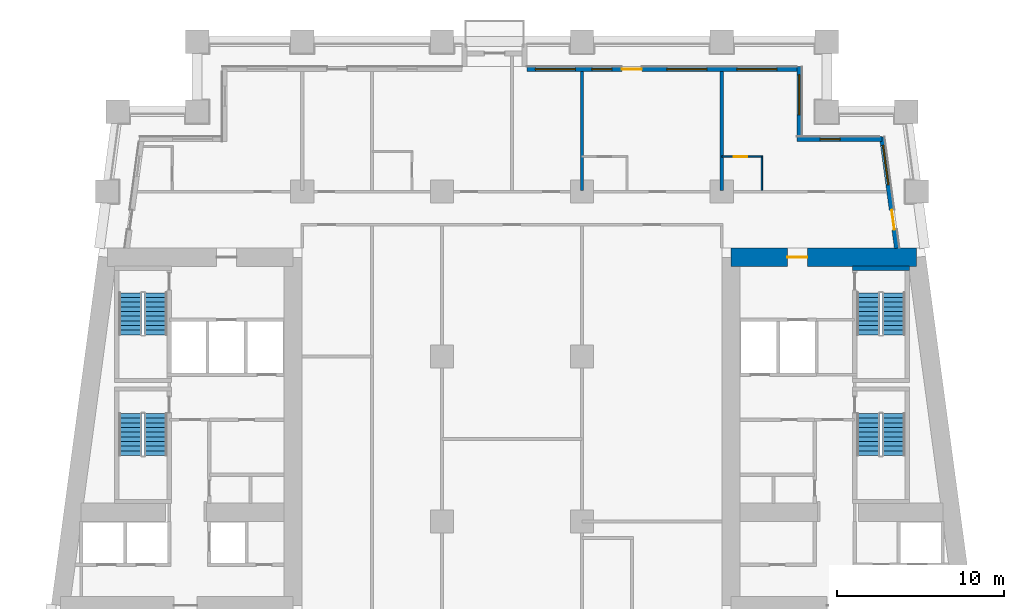
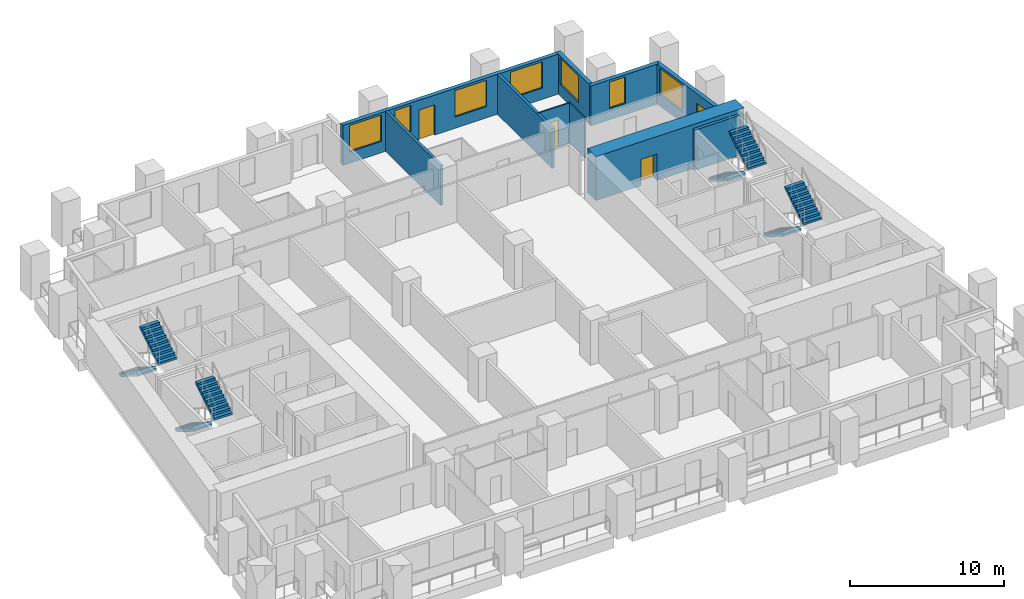
# One storey, part 7 of 12: 10 walls, 8 stair flights, 7 windows, 4 doors, 11 openings, 4 elements without a shape of their own.
"""IFC4 building model written with IfcOpenShell, lengths in metres."""

from ifc_helpers import new_model, si_unit, direction, frame, frame_2d, origin, place, context, subcontext, project, spatial, polyline, rectangle, outline, extrude, material, layer, layer_set, type_object, element, fill, aggregate, save


model = new_model("IFC4")

# Units and contexts
model_context = context("Model", 3, precision=1e-05, world=origin(), true_north=direction((0.0, 1.0)))
body_context = subcontext(model_context, "Body", "Model", "MODEL_VIEW")
ifc_project = project(units=[si_unit("LENGTHUNIT", "METRE"), si_unit("AREAUNIT", "SQUARE_METRE"), si_unit("VOLUMEUNIT", "CUBIC_METRE"), si_unit("PLANEANGLEUNIT", "RADIAN"), si_unit("MASSUNIT", "GRAM", prefix="KILO")], contexts=[model_context])

# Site, building, storey
site_placement = place(None, origin())
site = spatial("IfcSite", under=ifc_project, at=site_placement, CompositionType="ELEMENT")
building_placement = place(site_placement, origin())
building = spatial("IfcBuilding", under=site, at=building_placement, Name="Candeia Pilgrim Tower and Theatre", CompositionType="ELEMENT")
storey_placement = place(building_placement, frame((0.0, 0.0, 74.0)))
storey = spatial("IfcBuildingStorey", under=building, at=storey_placement, Name="L16", CompositionType="ELEMENT", Elevation=74.0)

# Wall, opening, door
ifc_material_1 = material(Name="Concrete C80/95", Category="concrete")
ifc_layer_1 = layer(ifc_material_1, 1.10009765625)
ifc_layer_set_1 = layer_set([ifc_layer_1], Name="Core wall 1100 C80/95")
wall_type_1 = type_object("IfcWallType", Name="Core wall 1100 C80/95", PredefinedType="SHEAR", material=ifc_layer_set_1)
wall_1_placement = place(storey_placement, frame((126.550048828125, 131.85009765625, 0.0), z_axis=(0.0, 0.0, 1.0), x_axis=(1.0, 0.0, 0.0)))
wall_1 = element("IfcWall", 1, at=wall_1_placement, inside=storey, type_object=wall_type_1, Name="Core wall E1", PredefinedType="SHEAR", context=body_context, shape_type="SweptSolid", body=[
    extrude(rectangle(XDim=11.13818359375, YDim=1.10009765625, at=frame_2d((5.569091796875, 0.0))), origin(), (0.0, 0.0, 1.0), 3.5),
])
opening_1_placement = place(wall_1_placement, frame((3.386474609375, 0.0, 0.0)))
opening_1 = element("IfcOpeningElement", 2, at=opening_1_placement, cuts=wall_1, Name="Opening L16-D049", PredefinedType="OPENING", context=body_context, shape_type="SweptSolid", body=[
    extrude(rectangle(XDim=1.199951171875, YDim=2.10009765625, at=frame_2d((0.60009765625, 1.050048828125))), frame((0.0, 0.56005859375, 0.0), z_axis=(0.0, -1.0, 0.0), x_axis=(1.0, 0.0, 0.0)), (0.0, 0.0, 1.0), 1.1201171875),
])
ifc_material_2 = material(Name="Steel fire door set", Category="steel")
door_type_1 = type_object("IfcDoorType", Name="D-1200-FD60", OperationType="NOTDEFINED", PredefinedType="DOOR", material=ifc_material_2)
door_1_placement = place(opening_1_placement, origin())
door_1 = element("IfcDoor", 3, at=door_1_placement, inside=storey, type_object=door_type_1, Name="Door L16-D049", OperationType="SINGLE_SWING_LEFT", OverallHeight=2.10009765625, OverallWidth=1.199951171875, PredefinedType="DOOR", context=body_context, shape_type="SweptSolid", body=[
    extrude(rectangle(XDim=1.199951171875, YDim=2.10009765625, at=frame_2d((0.60009765625, 1.050048828125))), frame((0.0, 0.02490234375, 0.0), z_axis=(0.0, -1.0, 0.0), x_axis=(1.0, 0.0, 0.0)), (0.0, 0.0, 1.0), 0.050048828125),
])
fill(opening_1, door_1)

# Wall, openings, door, window
ifc_material_3 = material(Name="Ceramic block masonry", Category="masonry")
ifc_layer_2 = layer(ifc_material_3, 0.300048828125)
ifc_layer_set_2 = layer_set([ifc_layer_2], Name="EW1 glazing-line wall 300")
wall_type_2 = type_object("IfcWallType", Name="EW1 glazing-line wall 300", PredefinedType="SOLIDWALL", material=ifc_layer_set_2)
wall_2_placement = place(storey_placement, frame((136.50439453125, 132.39990234375, 0.0), z_axis=(0.0, 0.0, 1.0), x_axis=(-0.133399697462, 0.99106231929, 0.0)))
wall_2 = element("IfcWall", 4, at=wall_2_placement, inside=storey, type_object=wall_type_2, Name="External wall L16-3.1", PredefinedType="SOLIDWALL", context=body_context, shape_type="SweptSolid", body=[
    extrude(rectangle(XDim=6.740478515625, YDim=0.300048828125, at=frame_2d((3.3701171875, 0.0))), origin(), (0.0, 0.0, 1.0), 3.179931640625),
])
opening_2_placement = place(wall_2_placement, frame((1.115234375, 0.0, 0.0)))
opening_2 = element("IfcOpeningElement", 5, at=opening_2_placement, cuts=wall_2, Name="Opening L16-ED177", PredefinedType="OPENING", context=body_context, shape_type="SweptSolid", body=[
    extrude(rectangle(XDim=1.199951171875, YDim=2.39990234375, at=frame_2d((0.60009765625, 1.199951171875))), frame((0.0, 0.16015625, 0.0), z_axis=(0.0, -1.0, 0.0), x_axis=(1.0, 0.0, 0.0)), (0.0, 0.0, 1.0), 0.320068359375),
])
opening_3_placement = place(wall_2_placement, frame((3.83544921875, 0.0, 0.89990234375)))
opening_3 = element("IfcOpeningElement", 6, at=opening_3_placement, cuts=wall_2, Name="Opening W-A", PredefinedType="OPENING", context=body_context, shape_type="SweptSolid", body=[
    extrude(rectangle(XDim=2.39990234375, YDim=2.10009765625, at=frame_2d((1.199951171875, 1.050048828125))), frame((0.0, 0.16015625, 0.0), z_axis=(0.0, -1.0, 0.0), x_axis=(1.0, 0.0, 0.0)), (0.0, 0.0, 1.0), 0.320068359375),
])
ifc_material_4 = material(Name="Aluminium framed glazed door", Category="aluminium")
door_type_2 = type_object("IfcDoorType", Name="Loggia door 1200x2400", OperationType="DOUBLE_DOOR_SINGLE_SWING", PredefinedType="DOOR", material=ifc_material_4)
door_2_placement = place(opening_2_placement, origin())
door_2 = element("IfcDoor", 7, at=door_2_placement, inside=storey, type_object=door_type_2, Name="Loggia door L16-ED177", OperationType="DOUBLE_DOOR_SINGLE_SWING", OverallHeight=2.39990234375, OverallWidth=1.199951171875, PredefinedType="DOOR", context=body_context, shape_type="SweptSolid", body=[
    extrude(rectangle(XDim=1.199951171875, YDim=2.39990234375, at=frame_2d((0.60009765625, 1.199951171875))), frame((0.0, 0.02490234375, 0.0), z_axis=(0.0, -1.0, 0.0), x_axis=(1.0, 0.0, 0.0)), (0.0, 0.0, 1.0), 0.050048828125),
])
fill(opening_2, door_2)
ifc_material_5 = material(Name="Aluminium framed double glazing", Category="aluminium")
window_type_1 = type_object("IfcWindowType", Name="W-A window 2400x2100", PartitioningType="DOUBLE_PANEL_VERTICAL", PredefinedType="WINDOW", material=ifc_material_5)
window_1_placement = place(opening_3_placement, origin())
window_1 = element("IfcWindow", 8, at=window_1_placement, inside=storey, type_object=window_type_1, Name="Window W-A L16", OverallHeight=2.10009765625, OverallWidth=2.39990234375, PartitioningType="SINGLE_PANEL", PredefinedType="WINDOW", context=body_context, shape_type="SweptSolid", body=[
    extrude(rectangle(XDim=2.39990234375, YDim=2.10009765625, at=frame_2d((1.199951171875, 1.050048828125))), frame((0.0, 0.030029296875, 0.0), z_axis=(0.0, -1.0, 0.0), x_axis=(1.0, 0.0, 0.0)), (0.0, 0.0, 1.0), 0.06005859375),
])
fill(opening_3, window_1)

# Wall, opening, window
wall_3_placement = place(storey_placement, frame((135.62255859375, 138.949951171875, 0.0), z_axis=(0.0, 0.0, 1.0), x_axis=(-1.0, 0.0, 0.0)))
wall_3 = element("IfcWall", 9, at=wall_3_placement, inside=storey, type_object=wall_type_2, Name="External wall L16-4.0", PredefinedType="SOLIDWALL", context=body_context, shape_type="SweptSolid", body=[
    extrude(rectangle(XDim=5.12255859375, YDim=0.300048828125, at=frame_2d((2.561279296875, 0.0))), origin(), (0.0, 0.0, 1.0), 3.179931640625),
])
opening_4_placement = place(wall_3_placement, frame((2.522705078125, 0.0, 0.89990234375)))
opening_4 = element("IfcOpeningElement", 10, at=opening_4_placement, cuts=wall_3, Name="Opening W-B", PredefinedType="OPENING", context=body_context, shape_type="SweptSolid", body=[
    extrude(rectangle(XDim=1.199951171875, YDim=2.10009765625, at=frame_2d((0.60009765625, 1.050048828125))), frame((0.0, 0.16015625, 0.0), z_axis=(0.0, -1.0, 0.0), x_axis=(1.0, 0.0, 0.0)), (0.0, 0.0, 1.0), 0.320068359375),
])
window_type_2 = type_object("IfcWindowType", Name="W-B window 1200x2100", PartitioningType="SINGLE_PANEL", PredefinedType="WINDOW", material=ifc_material_5)
window_2_placement = place(opening_4_placement, origin())
window_2 = element("IfcWindow", 11, at=window_2_placement, inside=storey, type_object=window_type_2, Name="Window W-B L16", OverallHeight=2.10009765625, OverallWidth=1.199951171875, PartitioningType="SINGLE_PANEL", PredefinedType="WINDOW", context=body_context, shape_type="SweptSolid", body=[
    extrude(rectangle(XDim=1.199951171875, YDim=2.10009765625, at=frame_2d((0.60009765625, 1.050048828125))), frame((0.0, 0.030029296875, 0.0), z_axis=(0.0, -1.0, 0.0), x_axis=(1.0, 0.0, 0.0)), (0.0, 0.0, 1.0), 0.06005859375),
])
fill(opening_4, window_2)

wall_4_placement = place(storey_placement, frame((130.64990234375, 138.949951171875, 0.0), z_axis=(0.0, 0.0, 1.0), x_axis=(0.0, 1.0, 0.0)))
wall_4 = element("IfcWall", 12, at=wall_4_placement, inside=storey, type_object=wall_type_2, Name="External wall L16-5.0", PredefinedType="SOLIDWALL", context=body_context, shape_type="SweptSolid", body=[
    extrude(rectangle(XDim=4.35009765625, YDim=0.300048828125, at=frame_2d((2.175048828125, 0.0))), origin(), (0.0, 0.0, 1.0), 3.179931640625),
])
opening_5_placement = place(wall_4_placement, frame((1.449951171875, 0.0, 0.89990234375)))
opening_5 = element("IfcOpeningElement", 13, at=opening_5_placement, cuts=wall_4, Name="Opening W-A", PredefinedType="OPENING", context=body_context, shape_type="SweptSolid", body=[
    extrude(rectangle(XDim=2.39990234375, YDim=2.10009765625, at=frame_2d((1.199951171875, 1.050048828125))), frame((0.0, 0.16015625, 0.0), z_axis=(0.0, -1.0, 0.0), x_axis=(1.0, 0.0, 0.0)), (0.0, 0.0, 1.0), 0.320068359375),
])
window_3_placement = place(opening_5_placement, origin())
window_3 = element("IfcWindow", 14, at=window_3_placement, inside=storey, type_object=window_type_1, Name="Window W-A L16", OverallHeight=2.10009765625, OverallWidth=2.39990234375, PartitioningType="SINGLE_PANEL", PredefinedType="WINDOW", context=body_context, shape_type="SweptSolid", body=[
    extrude(rectangle(XDim=2.39990234375, YDim=2.10009765625, at=frame_2d((1.199951171875, 1.050048828125))), frame((0.0, 0.030029296875, 0.0), z_axis=(0.0, -1.0, 0.0), x_axis=(1.0, 0.0, 0.0)), (0.0, 0.0, 1.0), 0.06005859375),
])
fill(opening_5, window_3)

# Wall, openings, door, windows
wall_5_placement = place(storey_placement, frame((130.64990234375, 143.14990234375, 0.0), z_axis=(0.0, 0.0, 1.0), x_axis=(-1.0, 0.0, 0.0)))
wall_5 = element("IfcWall", 15, at=wall_5_placement, inside=storey, type_object=wall_type_2, Name="External wall L16-6.0", PredefinedType="SOLIDWALL", context=body_context, shape_type="SweptSolid", body=[
    extrude(rectangle(XDim=16.349853515625, YDim=0.300048828125, at=frame_2d((8.1748046875, 0.0))), origin(), (0.0, 0.0, 1.0), 3.179931640625),
])
opening_6_placement = place(wall_5_placement, frame((1.35009765625, 0.0, 0.89990234375)))
opening_6 = element("IfcOpeningElement", 16, at=opening_6_placement, cuts=wall_5, Name="Opening W-A", PredefinedType="OPENING", context=body_context, shape_type="SweptSolid", body=[
    extrude(rectangle(XDim=2.39990234375, YDim=2.10009765625, at=frame_2d((1.199951171875, 1.050048828125))), frame((0.0, 0.16015625, 0.0), z_axis=(0.0, -1.0, 0.0), x_axis=(1.0, 0.0, 0.0)), (0.0, 0.0, 1.0), 0.320068359375),
])
opening_7_placement = place(wall_5_placement, frame((5.550048828125, 0.0, 0.89990234375)))
opening_7 = element("IfcOpeningElement", 17, at=opening_7_placement, cuts=wall_5, Name="Opening W-A", PredefinedType="OPENING", context=body_context, shape_type="SweptSolid", body=[
    extrude(rectangle(XDim=2.39990234375, YDim=2.10009765625, at=frame_2d((1.199951171875, 1.050048828125))), frame((0.0, 0.16015625, 0.0), z_axis=(0.0, -1.0, 0.0), x_axis=(1.0, 0.0, 0.0)), (0.0, 0.0, 1.0), 0.320068359375),
])
opening_8_placement = place(wall_5_placement, frame((9.449951171875, 0.0, 0.0)))
opening_8 = element("IfcOpeningElement", 18, at=opening_8_placement, cuts=wall_5, Name="Opening L16-ED178", PredefinedType="OPENING", context=body_context, shape_type="SweptSolid", body=[
    extrude(rectangle(XDim=1.199951171875, YDim=2.39990234375, at=frame_2d((0.60009765625, 1.199951171875))), frame((0.0, 0.16015625, 0.0), z_axis=(0.0, -1.0, 0.0), x_axis=(1.0, 0.0, 0.0)), (0.0, 0.0, 1.0), 0.320068359375),
])
opening_9_placement = place(wall_5_placement, frame((11.25, 0.0, 0.89990234375)))
opening_9 = element("IfcOpeningElement", 19, at=opening_9_placement, cuts=wall_5, Name="Opening W-B", PredefinedType="OPENING", context=body_context, shape_type="SweptSolid", body=[
    extrude(rectangle(XDim=1.199951171875, YDim=2.10009765625, at=frame_2d((0.60009765625, 1.050048828125))), frame((0.0, 0.16015625, 0.0), z_axis=(0.0, -1.0, 0.0), x_axis=(1.0, 0.0, 0.0)), (0.0, 0.0, 1.0), 0.320068359375),
])
opening_10_placement = place(wall_5_placement, frame((13.449951171875, 0.0, 0.89990234375)))
opening_10 = element("IfcOpeningElement", 20, at=opening_10_placement, cuts=wall_5, Name="Opening W-A", PredefinedType="OPENING", context=body_context, shape_type="SweptSolid", body=[
    extrude(rectangle(XDim=2.39990234375, YDim=2.10009765625, at=frame_2d((1.199951171875, 1.050048828125))), frame((0.0, 0.16015625, 0.0), z_axis=(0.0, -1.0, 0.0), x_axis=(1.0, 0.0, 0.0)), (0.0, 0.0, 1.0), 0.320068359375),
])
door_3_placement = place(opening_8_placement, origin())
door_3 = element("IfcDoor", 21, at=door_3_placement, inside=storey, type_object=door_type_2, Name="Loggia door L16-ED178", OperationType="DOUBLE_DOOR_SINGLE_SWING", OverallHeight=2.39990234375, OverallWidth=1.199951171875, PredefinedType="DOOR", context=body_context, shape_type="SweptSolid", body=[
    extrude(rectangle(XDim=1.199951171875, YDim=2.39990234375, at=frame_2d((0.60009765625, 1.199951171875))), frame((0.0, 0.02490234375, 0.0), z_axis=(0.0, -1.0, 0.0), x_axis=(1.0, 0.0, 0.0)), (0.0, 0.0, 1.0), 0.050048828125),
])
fill(opening_8, door_3)
window_4_placement = place(opening_6_placement, origin())
window_4 = element("IfcWindow", 22, at=window_4_placement, inside=storey, type_object=window_type_1, Name="Window W-A L16", OverallHeight=2.10009765625, OverallWidth=2.39990234375, PartitioningType="SINGLE_PANEL", PredefinedType="WINDOW", context=body_context, shape_type="SweptSolid", body=[
    extrude(rectangle(XDim=2.39990234375, YDim=2.10009765625, at=frame_2d((1.199951171875, 1.050048828125))), frame((0.0, 0.030029296875, 0.0), z_axis=(0.0, -1.0, 0.0), x_axis=(1.0, 0.0, 0.0)), (0.0, 0.0, 1.0), 0.06005859375),
])
fill(opening_6, window_4)
window_5_placement = place(opening_7_placement, origin())
window_5 = element("IfcWindow", 23, at=window_5_placement, inside=storey, type_object=window_type_1, Name="Window W-A L16", OverallHeight=2.10009765625, OverallWidth=2.39990234375, PartitioningType="SINGLE_PANEL", PredefinedType="WINDOW", context=body_context, shape_type="SweptSolid", body=[
    extrude(rectangle(XDim=2.39990234375, YDim=2.10009765625, at=frame_2d((1.199951171875, 1.050048828125))), frame((0.0, 0.030029296875, 0.0), z_axis=(0.0, -1.0, 0.0), x_axis=(1.0, 0.0, 0.0)), (0.0, 0.0, 1.0), 0.06005859375),
])
fill(opening_7, window_5)
window_6_placement = place(opening_10_placement, origin())
window_6 = element("IfcWindow", 24, at=window_6_placement, inside=storey, type_object=window_type_1, Name="Window W-A L16", OverallHeight=2.10009765625, OverallWidth=2.39990234375, PartitioningType="SINGLE_PANEL", PredefinedType="WINDOW", context=body_context, shape_type="SweptSolid", body=[
    extrude(rectangle(XDim=2.39990234375, YDim=2.10009765625, at=frame_2d((1.199951171875, 1.050048828125))), frame((0.0, 0.030029296875, 0.0), z_axis=(0.0, -1.0, 0.0), x_axis=(1.0, 0.0, 0.0)), (0.0, 0.0, 1.0), 0.06005859375),
])
fill(opening_10, window_6)
window_7_placement = place(opening_9_placement, origin())
window_7 = element("IfcWindow", 25, at=window_7_placement, inside=storey, type_object=window_type_2, Name="Window W-B L16", OverallHeight=2.10009765625, OverallWidth=1.199951171875, PartitioningType="SINGLE_PANEL", PredefinedType="WINDOW", context=body_context, shape_type="SweptSolid", body=[
    extrude(rectangle(XDim=1.199951171875, YDim=2.10009765625, at=frame_2d((0.60009765625, 1.050048828125))), frame((0.0, 0.030029296875, 0.0), z_axis=(0.0, -1.0, 0.0), x_axis=(1.0, 0.0, 0.0)), (0.0, 0.0, 1.0), 0.06005859375),
])
fill(opening_9, window_7)

# Wall, opening, door
ifc_material_6 = material(Name="Gypsum board partition on steel studs", Category="steel")
ifc_layer_3 = layer(ifc_material_6, 0.10009765625)
ifc_layer_set_3 = layer_set([ifc_layer_3], Name="PW-100 room partition")
wall_type_3 = type_object("IfcWallType", Name="PW-100 room partition", PredefinedType="PARTITIONING", material=ifc_layer_set_3)
wall_6_placement = place(storey_placement, frame((126.0, 137.89990234375, 0.0), z_axis=(0.0, 0.0, 1.0), x_axis=(1.0, 0.0, 0.0)))
wall_6 = element("IfcWall", 26, at=wall_6_placement, inside=storey, type_object=wall_type_3, Name="Room partition L16-040", PredefinedType="PARTITIONING", context=body_context, shape_type="SweptSolid", body=[
    extrude(rectangle(XDim=2.449951171875, YDim=0.10009765625, at=frame_2d((1.22509765625, 0.0))), origin(), (0.0, 0.0, 1.0), 3.179931640625),
])
opening_11_placement = place(wall_6_placement, frame((0.7099609375, 0.0, 0.0)))
opening_11 = element("IfcOpeningElement", 27, at=opening_11_placement, cuts=wall_6, Name="Opening L16-D037", PredefinedType="OPENING", context=body_context, shape_type="SweptSolid", body=[
    extrude(rectangle(XDim=0.800048828125, YDim=2.10009765625, at=frame_2d((0.39990234375, 1.050048828125))), frame((0.0, 0.06005859375, 0.0), z_axis=(0.0, -1.0, 0.0), x_axis=(1.0, 0.0, 0.0)), (0.0, 0.0, 1.0), 0.1201171875),
])
ifc_material_7 = material(Name="Timber door leaf", Category="wood")
door_type_3 = type_object("IfcDoorType", Name="D-800", OperationType="NOTDEFINED", PredefinedType="DOOR", material=ifc_material_7)
door_4_placement = place(opening_11_placement, origin())
door_4 = element("IfcDoor", 28, at=door_4_placement, inside=storey, type_object=door_type_3, Name="Door L16-D037", OperationType="SINGLE_SWING_LEFT", OverallHeight=2.10009765625, OverallWidth=0.800048828125, PredefinedType="DOOR", context=body_context, shape_type="SweptSolid", body=[
    extrude(rectangle(XDim=0.800048828125, YDim=2.10009765625, at=frame_2d((0.39990234375, 1.050048828125))), frame((0.0, 0.02490234375, 0.0), z_axis=(0.0, -1.0, 0.0), x_axis=(1.0, 0.0, 0.0)), (0.0, 0.0, 1.0), 0.050048828125),
])
fill(opening_11, door_4)

# Walls
wall_7_placement = place(storey_placement, frame((128.39990234375, 135.875, 0.0), z_axis=(0.0, 0.0, 1.0), x_axis=(0.0, 1.0, 0.0)))
element("IfcWall", 29, at=wall_7_placement, inside=storey, type_object=wall_type_3, Name="Room partition L16-087", PredefinedType="PARTITIONING", context=body_context, shape_type="SweptSolid", body=[
    extrude(rectangle(XDim=1.97509765625, YDim=0.10009765625, at=frame_2d((0.987548828125, 0.0))), origin(), (0.0, 0.0, 1.0), 3.179931640625),
])
ifc_layer_4 = layer(ifc_material_6, 0.199951171875)
ifc_layer_set_4 = layer_set([ifc_layer_4], Name="PW-200 party wall")
wall_type_4 = type_object("IfcWallType", Name="PW-200 party wall", PredefinedType="PARTITIONING", material=ifc_layer_set_4)
for number, where, z_axis, x_axis, name in (
    (30, (117.60009765625, 135.875, 0.0), (0.0, 0.0, 1.0), (0.0, 1.0, 0.0), "Party wall L16-077"),
    (31, (126.0, 135.875, 0.0), (0.0, 0.0, 1.0), (0.0, 1.0, 0.0), "Party wall L16-083"),
):
    element("IfcWall", number, at=place(storey_placement, frame(where, z_axis=z_axis, x_axis=x_axis)), inside=storey, type_object=wall_type_4, Name=name, PredefinedType="PARTITIONING", context=body_context, shape_type="SweptSolid", body=[
        extrude(rectangle(XDim=7.135009765625, YDim=0.199951171875, at=frame_2d((3.5673828125, 0.0))), origin(), (0.0, 0.0, 1.0), 3.179931640625),
    ])
ifc_material_8 = material(Name="Concrete C40/50", Category="concrete")
ifc_layer_5 = layer(ifc_material_8, 0.25)
ifc_layer_set_5 = layer_set([ifc_layer_5], Name="SW-250 stair wall")
wall_type_5 = type_object("IfcWallType", Name="SW-250 stair wall", PredefinedType="PARTITIONING", material=ifc_layer_set_5)
wall_8_placement = place(storey_placement, frame((133.847900390625, 131.199951171875, 0.0), z_axis=(0.0, 0.0, 1.0), x_axis=(1.0, 0.0, 0.0)))
element("IfcWall", 32, at=wall_8_placement, inside=storey, type_object=wall_type_5, Name="Stair wall L16-036", PredefinedType="PARTITIONING", context=body_context, shape_type="SweptSolid", body=[
    extrude(rectangle(XDim=3.400146484375, YDim=0.25, at=frame_2d((1.7001953125, 0.0))), origin(), (0.0, 0.0, 1.0), 3.179931640625),
])

# Stair, stair flights
stair_type = type_object("IfcStairType", Name="ST-TWR dog-leg escape stair", PredefinedType="HALF_TURN_STAIR", material=ifc_material_8)
stair_1_placement = place(storey_placement, origin())
stair_1 = element("IfcStair", 33, at=stair_1_placement, inside=storey, type_object=stair_type, Name="L16 Escape stair ST1", PredefinedType="HALF_TURN_STAIR")
stair_flight_type = type_object("IfcStairFlightType", Name="SFL-RC stair flight", PredefinedType="STRAIGHT", material=ifc_material_8)
stair_flight_1_placement = place(storey_placement, frame((90.47705078125, 122.47509765625, 0.0), z_axis=(0.0, 0.0, 1.0), x_axis=(0.0, -1.0, 0.0)))
stair_flight_1 = element("IfcStairFlight", 34, at=stair_flight_1_placement, type_object=stair_flight_type, Name="ST1 flight 1", NumberOfRisers=10, NumberOfTreads=9, PredefinedType="STRAIGHT", RiserHeight=0.175, TreadLength=0.28, context=body_context, shape_type="SweptSolid", body=[
    extrude(outline(polyline([(0.0, 0.0), (0.0, 0.175048828125), (0.280029296875, 0.175048828125), (0.280029296875, 0.35009765625), (0.56005859375, 0.35009765625), (0.56005859375, 0.52490234375), (0.840087890625, 0.52490234375), (0.840087890625, 0.699951171875), (1.1201171875, 0.699951171875), (1.1201171875, 0.875), (1.39990234375, 0.875), (1.39990234375, 1.050048828125), (1.679931640625, 1.050048828125), (1.679931640625, 1.22509765625), (1.9599609375, 1.22509765625), (1.9599609375, 1.39990234375), (2.239990234375, 1.39990234375), (2.239990234375, 1.574951171875), (2.52001953125, 1.574951171875), (2.52001953125, 1.75), (2.52001953125, 1.398193359375), (0.28271484375, 0.0), (0.0, 0.0)])), frame((0.0, 0.675048828125, 0.0), z_axis=(0.0, -1.0, 0.0), x_axis=(1.0, 0.0, 0.0)), (0.0, 0.0, 1.0), 1.35009765625),
])
stair_flight_2_placement = place(storey_placement, frame((92.027099609375, 119.955078125, 1.75), z_axis=(0.0, 0.0, 1.0), x_axis=(0.0, 1.0, 0.0)))
stair_flight_2 = element("IfcStairFlight", 35, at=stair_flight_2_placement, type_object=stair_flight_type, Name="ST1 flight 2", NumberOfRisers=10, NumberOfTreads=9, PredefinedType="STRAIGHT", RiserHeight=0.175, TreadLength=0.28, context=body_context, shape_type="SweptSolid", body=[
    extrude(outline(polyline([(0.0, 0.0), (0.0, 0.175048828125), (0.280029296875, 0.175048828125), (0.280029296875, 0.35009765625), (0.56005859375, 0.35009765625), (0.56005859375, 0.52490234375), (0.840087890625, 0.52490234375), (0.840087890625, 0.699951171875), (1.1201171875, 0.699951171875), (1.1201171875, 0.875), (1.39990234375, 0.875), (1.39990234375, 1.050048828125), (1.679931640625, 1.050048828125), (1.679931640625, 1.22509765625), (1.9599609375, 1.22509765625), (1.9599609375, 1.39990234375), (2.239990234375, 1.39990234375), (2.239990234375, 1.574951171875), (2.52001953125, 1.574951171875), (2.52001953125, 1.75), (2.52001953125, 1.398193359375), (0.28271484375, 0.0), (0.0, 0.0)])), frame((0.0, 0.675048828125, 0.0), z_axis=(0.0, -1.0, 0.0), x_axis=(1.0, 0.0, 0.0)), (0.0, 0.0, 1.0), 1.35009765625),
])
aggregate(stair_1, [stair_flight_1, stair_flight_2])

stair_2_placement = place(storey_placement, origin())
stair_2 = element("IfcStair", 36, at=stair_2_placement, inside=storey, type_object=stair_type, Name="L16 Escape stair ST2", PredefinedType="HALF_TURN_STAIR")
stair_flight_3_placement = place(storey_placement, frame((90.47705078125, 129.72509765625, 0.0), z_axis=(0.0, 0.0, 1.0), x_axis=(0.0, -1.0, 0.0)))
stair_flight_3 = element("IfcStairFlight", 37, at=stair_flight_3_placement, type_object=stair_flight_type, Name="ST2 flight 1", NumberOfRisers=10, NumberOfTreads=9, PredefinedType="STRAIGHT", RiserHeight=0.175, TreadLength=0.28, context=body_context, shape_type="SweptSolid", body=[
    extrude(outline(polyline([(0.0, 0.0), (0.0, 0.175048828125), (0.280029296875, 0.175048828125), (0.280029296875, 0.35009765625), (0.56005859375, 0.35009765625), (0.56005859375, 0.52490234375), (0.840087890625, 0.52490234375), (0.840087890625, 0.699951171875), (1.1201171875, 0.699951171875), (1.1201171875, 0.875), (1.39990234375, 0.875), (1.39990234375, 1.050048828125), (1.679931640625, 1.050048828125), (1.679931640625, 1.22509765625), (1.9599609375, 1.22509765625), (1.9599609375, 1.39990234375), (2.239990234375, 1.39990234375), (2.239990234375, 1.574951171875), (2.52001953125, 1.574951171875), (2.52001953125, 1.75), (2.52001953125, 1.398193359375), (0.28271484375, 0.0), (0.0, 0.0)])), frame((0.0, 0.675048828125, 0.0), z_axis=(0.0, -1.0, 0.0), x_axis=(1.0, 0.0, 0.0)), (0.0, 0.0, 1.0), 1.35009765625),
])
stair_flight_4_placement = place(storey_placement, frame((92.027099609375, 127.205078125, 1.75), z_axis=(0.0, 0.0, 1.0), x_axis=(0.0, 1.0, 0.0)))
stair_flight_4 = element("IfcStairFlight", 38, at=stair_flight_4_placement, type_object=stair_flight_type, Name="ST2 flight 2", NumberOfRisers=10, NumberOfTreads=9, PredefinedType="STRAIGHT", RiserHeight=0.175, TreadLength=0.28, context=body_context, shape_type="SweptSolid", body=[
    extrude(outline(polyline([(0.0, 0.0), (0.0, 0.175048828125), (0.280029296875, 0.175048828125), (0.280029296875, 0.35009765625), (0.56005859375, 0.35009765625), (0.56005859375, 0.52490234375), (0.840087890625, 0.52490234375), (0.840087890625, 0.699951171875), (1.1201171875, 0.699951171875), (1.1201171875, 0.875), (1.39990234375, 0.875), (1.39990234375, 1.050048828125), (1.679931640625, 1.050048828125), (1.679931640625, 1.22509765625), (1.9599609375, 1.22509765625), (1.9599609375, 1.39990234375), (2.239990234375, 1.39990234375), (2.239990234375, 1.574951171875), (2.52001953125, 1.574951171875), (2.52001953125, 1.75), (2.52001953125, 1.398193359375), (0.28271484375, 0.0), (0.0, 0.0)])), frame((0.0, 0.675048828125, 0.0), z_axis=(0.0, -1.0, 0.0), x_axis=(1.0, 0.0, 0.0)), (0.0, 0.0, 1.0), 1.35009765625),
])
aggregate(stair_2, [stair_flight_3, stair_flight_4])

stair_3_placement = place(storey_placement, origin())
stair_3 = element("IfcStair", 39, at=stair_3_placement, inside=storey, type_object=stair_type, Name="L16 Escape stair ST3", PredefinedType="HALF_TURN_STAIR")
stair_flight_5_placement = place(storey_placement, frame((134.77294921875, 122.47509765625, 0.0), z_axis=(0.0, 0.0, 1.0), x_axis=(0.0, -1.0, 0.0)))
stair_flight_5 = element("IfcStairFlight", 40, at=stair_flight_5_placement, type_object=stair_flight_type, Name="ST3 flight 1", NumberOfRisers=10, NumberOfTreads=9, PredefinedType="STRAIGHT", RiserHeight=0.175, TreadLength=0.28, context=body_context, shape_type="SweptSolid", body=[
    extrude(outline(polyline([(0.0, 0.0), (0.0, 0.175048828125), (0.280029296875, 0.175048828125), (0.280029296875, 0.35009765625), (0.56005859375, 0.35009765625), (0.56005859375, 0.52490234375), (0.840087890625, 0.52490234375), (0.840087890625, 0.699951171875), (1.1201171875, 0.699951171875), (1.1201171875, 0.875), (1.39990234375, 0.875), (1.39990234375, 1.050048828125), (1.679931640625, 1.050048828125), (1.679931640625, 1.22509765625), (1.9599609375, 1.22509765625), (1.9599609375, 1.39990234375), (2.239990234375, 1.39990234375), (2.239990234375, 1.574951171875), (2.52001953125, 1.574951171875), (2.52001953125, 1.75), (2.52001953125, 1.398193359375), (0.28271484375, 0.0), (0.0, 0.0)])), frame((0.0, 0.675048828125, 0.0), z_axis=(0.0, -1.0, 0.0), x_axis=(1.0, 0.0, 0.0)), (0.0, 0.0, 1.0), 1.35009765625),
])
stair_flight_6_placement = place(storey_placement, frame((136.322998046875, 119.955078125, 1.75), z_axis=(0.0, 0.0, 1.0), x_axis=(0.0, 1.0, 0.0)))
stair_flight_6 = element("IfcStairFlight", 41, at=stair_flight_6_placement, type_object=stair_flight_type, Name="ST3 flight 2", NumberOfRisers=10, NumberOfTreads=9, PredefinedType="STRAIGHT", RiserHeight=0.175, TreadLength=0.28, context=body_context, shape_type="SweptSolid", body=[
    extrude(outline(polyline([(0.0, 0.0), (0.0, 0.175048828125), (0.280029296875, 0.175048828125), (0.280029296875, 0.35009765625), (0.56005859375, 0.35009765625), (0.56005859375, 0.52490234375), (0.840087890625, 0.52490234375), (0.840087890625, 0.699951171875), (1.1201171875, 0.699951171875), (1.1201171875, 0.875), (1.39990234375, 0.875), (1.39990234375, 1.050048828125), (1.679931640625, 1.050048828125), (1.679931640625, 1.22509765625), (1.9599609375, 1.22509765625), (1.9599609375, 1.39990234375), (2.239990234375, 1.39990234375), (2.239990234375, 1.574951171875), (2.52001953125, 1.574951171875), (2.52001953125, 1.75), (2.52001953125, 1.398193359375), (0.28271484375, 0.0), (0.0, 0.0)])), frame((0.0, 0.675048828125, 0.0), z_axis=(0.0, -1.0, 0.0), x_axis=(1.0, 0.0, 0.0)), (0.0, 0.0, 1.0), 1.35009765625),
])
aggregate(stair_3, [stair_flight_5, stair_flight_6])

stair_4_placement = place(storey_placement, origin())
stair_4 = element("IfcStair", 42, at=stair_4_placement, inside=storey, type_object=stair_type, Name="L16 Escape stair ST4", PredefinedType="HALF_TURN_STAIR")
stair_flight_7_placement = place(storey_placement, frame((134.77294921875, 129.72509765625, 0.0), z_axis=(0.0, 0.0, 1.0), x_axis=(0.0, -1.0, 0.0)))
stair_flight_7 = element("IfcStairFlight", 43, at=stair_flight_7_placement, type_object=stair_flight_type, Name="ST4 flight 1", NumberOfRisers=10, NumberOfTreads=9, PredefinedType="STRAIGHT", RiserHeight=0.175, TreadLength=0.28, context=body_context, shape_type="SweptSolid", body=[
    extrude(outline(polyline([(0.0, 0.0), (0.0, 0.175048828125), (0.280029296875, 0.175048828125), (0.280029296875, 0.35009765625), (0.56005859375, 0.35009765625), (0.56005859375, 0.52490234375), (0.840087890625, 0.52490234375), (0.840087890625, 0.699951171875), (1.1201171875, 0.699951171875), (1.1201171875, 0.875), (1.39990234375, 0.875), (1.39990234375, 1.050048828125), (1.679931640625, 1.050048828125), (1.679931640625, 1.22509765625), (1.9599609375, 1.22509765625), (1.9599609375, 1.39990234375), (2.239990234375, 1.39990234375), (2.239990234375, 1.574951171875), (2.52001953125, 1.574951171875), (2.52001953125, 1.75), (2.52001953125, 1.398193359375), (0.28271484375, 0.0), (0.0, 0.0)])), frame((0.0, 0.675048828125, 0.0), z_axis=(0.0, -1.0, 0.0), x_axis=(1.0, 0.0, 0.0)), (0.0, 0.0, 1.0), 1.35009765625),
])
stair_flight_8_placement = place(storey_placement, frame((136.322998046875, 127.205078125, 1.75), z_axis=(0.0, 0.0, 1.0), x_axis=(0.0, 1.0, 0.0)))
stair_flight_8 = element("IfcStairFlight", 44, at=stair_flight_8_placement, type_object=stair_flight_type, Name="ST4 flight 2", NumberOfRisers=10, NumberOfTreads=9, PredefinedType="STRAIGHT", RiserHeight=0.175, TreadLength=0.28, context=body_context, shape_type="SweptSolid", body=[
    extrude(outline(polyline([(0.0, 0.0), (0.0, 0.175048828125), (0.280029296875, 0.175048828125), (0.280029296875, 0.35009765625), (0.56005859375, 0.35009765625), (0.56005859375, 0.52490234375), (0.840087890625, 0.52490234375), (0.840087890625, 0.699951171875), (1.1201171875, 0.699951171875), (1.1201171875, 0.875), (1.39990234375, 0.875), (1.39990234375, 1.050048828125), (1.679931640625, 1.050048828125), (1.679931640625, 1.22509765625), (1.9599609375, 1.22509765625), (1.9599609375, 1.39990234375), (2.239990234375, 1.39990234375), (2.239990234375, 1.574951171875), (2.52001953125, 1.574951171875), (2.52001953125, 1.75), (2.52001953125, 1.398193359375), (0.28271484375, 0.0), (0.0, 0.0)])), frame((0.0, 0.675048828125, 0.0), z_axis=(0.0, -1.0, 0.0), x_axis=(1.0, 0.0, 0.0)), (0.0, 0.0, 1.0), 1.35009765625),
])
aggregate(stair_4, [stair_flight_7, stair_flight_8])

save(model, "model.ifc")
